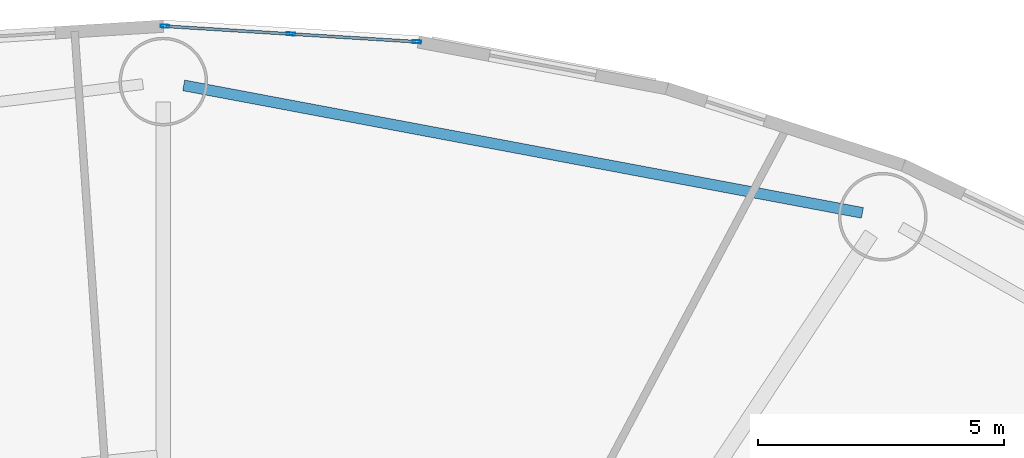
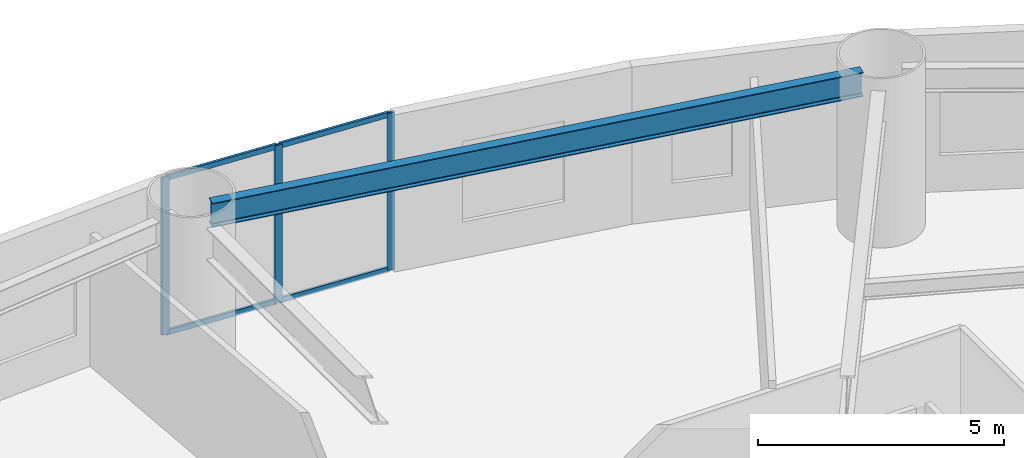
# One storey, part 10 of 27: 7 members, 1 beam, 1 element without a shape of its own.
"""IFC4 building model written with IfcOpenShell, lengths in metres."""

from ifc_helpers import new_model, si_unit, direction, frame, origin, origin_2d, place, context, subcontext, project, spatial, hollow_rectangle, i_section, extrude, source, transform, mapped, material, layer, layer_set, material_profile, profile_set, type_object, element, aggregate, save


model = new_model("IFC4")

# Units and contexts
model_context = context("Model", 3, precision=1e-05, world=origin(), true_north=direction((0.0, 1.0)))
body_context = subcontext(model_context, "Body", "Model", "MODEL_VIEW")
ifc_project = project(units=[si_unit("LENGTHUNIT", "METRE"), si_unit("AREAUNIT", "SQUARE_METRE"), si_unit("VOLUMEUNIT", "CUBIC_METRE"), si_unit("PLANEANGLEUNIT", "RADIAN"), si_unit("MASSUNIT", "GRAM", prefix="KILO")], contexts=[model_context])

# Site, building, storey
site_placement = place(None, origin())
site = spatial("IfcSite", under=ifc_project, at=site_placement, CompositionType="ELEMENT")
building_placement = place(site_placement, origin())
building = spatial("IfcBuilding", under=site, at=building_placement, Name="Linh Dai School and Residence Tower", CompositionType="ELEMENT")
storey_placement = place(building_placement, frame((0.0, 0.0, 18.60009765625)))
storey = spatial("IfcBuildingStorey", under=building, at=storey_placement, Name="L04", CompositionType="ELEMENT", Elevation=18.60009765625)

# Beam
ifc_material_1 = material(Name="Structural Steel S355JR", Category="steel")
ifc_material_profile_1 = material_profile(ifc_material_1, i_section(OverallWidth=0.219970703125, OverallDepth=0.60009765625, WebThickness=0.011962890625, FlangeThickness=0.01904296875, FilletRadius=0.02392578125, at=origin_2d()), Name="IPE 600")
ifc_profile_set_1 = profile_set([ifc_material_profile_1], Name="Structural Steel S355JR")
beam_type = type_object("IfcBeamType", Name="BM-RB60", PredefinedType="BEAM", material=ifc_profile_set_1)
beam_placement = place(storey_placement, frame((50.196533203125, 49.082763671875, 3.599853515625), z_axis=(-0.98280551354, 0.184643772045, 0.0), x_axis=(-0.184643772045, -0.98280551354, 0.0)))
element("IfcBeam", 1, at=beam_placement, inside=storey, type_object=beam_type, Name="L04 Perimeter Elliptical Ring Beam 04", PredefinedType="BEAM", context=body_context, shape_type="SweptSolid", body=[
    extrude(i_section(OverallWidth=0.219970703125, OverallDepth=0.60009765625, WebThickness=0.011962890625, FlangeThickness=0.01904296875, FilletRadius=0.02392578125, at=origin_2d()), origin(), (0.0, 0.0, 1.0), 14.02490234375),
])

# Curtain wall, members
ifc_material_2 = material(Name="Aluminium Anodised Curtain Wall", Category="aluminium")
ifc_layer = layer(ifc_material_2, 0.169921875)
ifc_layer_set = layer_set([ifc_layer], Name="Aluminium Anodised Curtain Wall")
curtain_wall_type = type_object("IfcCurtainWallType", Name="CW-SYS-2", PredefinedType="USERDEFINED", material=ifc_layer_set)
curtain_wall_placement = place(storey_placement, origin())
curtain_wall = element("IfcCurtainWall", 2, at=curtain_wall_placement, inside=storey, type_object=curtain_wall_type, Name="L04 CW2 Curtain Wall 10", ObjectType="UNITISED CURTAIN WALL", PredefinedType="USERDEFINED")
ifc_material_3 = material(Name="Aluminium Alloy 6063-T6", Category="aluminium")
ifc_material_profile_2 = material_profile(ifc_material_3, hollow_rectangle(XDim=0.06005859375, YDim=0.169921875, WallThickness=0.00390625, at=origin_2d()), Name="RHS 170x60x4")
ifc_profile_set_2 = profile_set([ifc_material_profile_2], Name="Aluminium Alloy 6063-T6")
member_type_1 = type_object("IfcMemberType", Name="CW-SYS-2-MUL", PredefinedType="MULLION", material=ifc_profile_set_2)
shared_shape_1 = source(origin(), body_context, "Body", "SweptSolid", [
    extrude(hollow_rectangle(XDim=0.06005859375, YDim=0.169921875, WallThickness=0.00390625, at=origin_2d()), origin(), (0.0, 0.0, 1.0), 3.89990234375),
])
member_1_placement = place(storey_placement, frame((36.030029296875, 52.873046875, 0.0), z_axis=(0.0, 0.0, 1.0), x_axis=(0.061516182598, 0.998106086185, 0.0)))
member_1 = element("IfcMember", 3, at=member_1_placement, type_object=member_type_1, Name="CW2 mullion 1", PredefinedType="MULLION", context=body_context, shape_type="MappedRepresentation", body=[
    mapped(shared_shape_1, transform((0.0, 0.0, 0.0), x_axis=(1.0, 0.0, 0.0), y_axis=(0.0, 1.0, 0.0), z_axis=(0.0, 0.0, 1.0), scale=1.0)),
])
member_2_placement = place(storey_placement, frame((38.589111328125, 52.71533203125, 0.0), z_axis=(0.0, 0.0, 1.0), x_axis=(0.061516182598, 0.998106086185, 0.0)))
member_2 = element("IfcMember", 4, at=member_2_placement, type_object=member_type_1, Name="CW2 mullion 2", PredefinedType="MULLION", context=body_context, shape_type="MappedRepresentation", body=[
    mapped(shared_shape_1, transform((0.0, 0.0, 0.0), x_axis=(1.0, 0.0, 0.0), y_axis=(0.0, 1.0, 0.0), z_axis=(0.0, 0.0, 1.0), scale=1.0)),
])
member_3_placement = place(storey_placement, frame((41.148193359375, 52.5576171875, 0.0), z_axis=(0.0, 0.0, 1.0), x_axis=(0.061516182598, 0.998106086185, 0.0)))
member_3 = element("IfcMember", 5, at=member_3_placement, type_object=member_type_1, Name="CW2 mullion 3", PredefinedType="MULLION", context=body_context, shape_type="MappedRepresentation", body=[
    mapped(shared_shape_1, transform((0.0, 0.0, 0.0), x_axis=(1.0, 0.0, 0.0), y_axis=(0.0, 1.0, 0.0), z_axis=(0.0, 0.0, 1.0), scale=1.0)),
])
ifc_material_profile_3 = material_profile(ifc_material_3, hollow_rectangle(XDim=0.06005859375, YDim=0.1298828125, WallThickness=0.00390625, at=origin_2d()), Name="RHS 130x60x4")
ifc_profile_set_3 = profile_set([ifc_material_profile_3], Name="Aluminium Alloy 6063-T6")
member_type_2 = type_object("IfcMemberType", Name="CW-SYS-2-TRN", PredefinedType="USERDEFINED", material=ifc_profile_set_3)
shared_shape_2 = source(origin(), body_context, "Body", "SweptSolid", [
    extrude(hollow_rectangle(XDim=0.06005859375, YDim=0.1298828125, WallThickness=0.00390625, at=origin_2d()), origin(), (0.0, 0.0, 1.0), 2.50390625),
])
member_4_placement = place(storey_placement, frame((36.059814453125, 52.871337890625, 0.02978515625), z_axis=(0.99810570363, -0.061522389273, 0.0), x_axis=(0.061522389273, 0.99810570363, 0.0)))
member_4 = element("IfcMember", 6, at=member_4_placement, type_object=member_type_2, Name="CW2 transom 1.1", ObjectType="TRANSOM", PredefinedType="USERDEFINED", context=body_context, shape_type="MappedRepresentation", body=[
    mapped(shared_shape_2, transform((0.0, 0.0, 0.0), x_axis=(1.0, 0.0, 0.0), y_axis=(0.0, 1.0, 0.0), z_axis=(0.0, 0.0, 1.0), scale=1.0)),
])
member_5_placement = place(storey_placement, frame((36.059814453125, 52.871337890625, 3.869873046875), z_axis=(0.99810570363, -0.061522389273, 0.0), x_axis=(0.061522389273, 0.99810570363, 0.0)))
member_5 = element("IfcMember", 7, at=member_5_placement, type_object=member_type_2, Name="CW2 transom 1.2", ObjectType="TRANSOM", PredefinedType="USERDEFINED", context=body_context, shape_type="MappedRepresentation", body=[
    mapped(shared_shape_2, transform((0.0, 0.0, 0.0), x_axis=(1.0, 0.0, 0.0), y_axis=(0.0, 1.0, 0.0), z_axis=(0.0, 0.0, 1.0), scale=1.0)),
])
member_6_placement = place(storey_placement, frame((38.619140625, 52.713623046875, 0.02978515625), z_axis=(0.99810570363, -0.061522389273, 0.0), x_axis=(0.061522389273, 0.99810570363, 0.0)))
member_6 = element("IfcMember", 8, at=member_6_placement, type_object=member_type_2, Name="CW2 transom 2.1", ObjectType="TRANSOM", PredefinedType="USERDEFINED", context=body_context, shape_type="MappedRepresentation", body=[
    mapped(shared_shape_2, transform((0.0, 0.0, 0.0), x_axis=(1.0, 0.0, 0.0), y_axis=(0.0, 1.0, 0.0), z_axis=(0.0, 0.0, 1.0), scale=1.0)),
])
member_7_placement = place(storey_placement, frame((38.619140625, 52.713623046875, 3.869873046875), z_axis=(0.99810570363, -0.061522389273, 0.0), x_axis=(0.061522389273, 0.99810570363, 0.0)))
member_7 = element("IfcMember", 9, at=member_7_placement, type_object=member_type_2, Name="CW2 transom 2.2", ObjectType="TRANSOM", PredefinedType="USERDEFINED", context=body_context, shape_type="MappedRepresentation", body=[
    mapped(shared_shape_2, transform((0.0, 0.0, 0.0), x_axis=(1.0, 0.0, 0.0), y_axis=(0.0, 1.0, 0.0), z_axis=(0.0, 0.0, 1.0), scale=1.0)),
])
aggregate(curtain_wall, [member_1, member_2, member_3, member_4, member_5, member_6, member_7])

save(model, "model.ifc")
